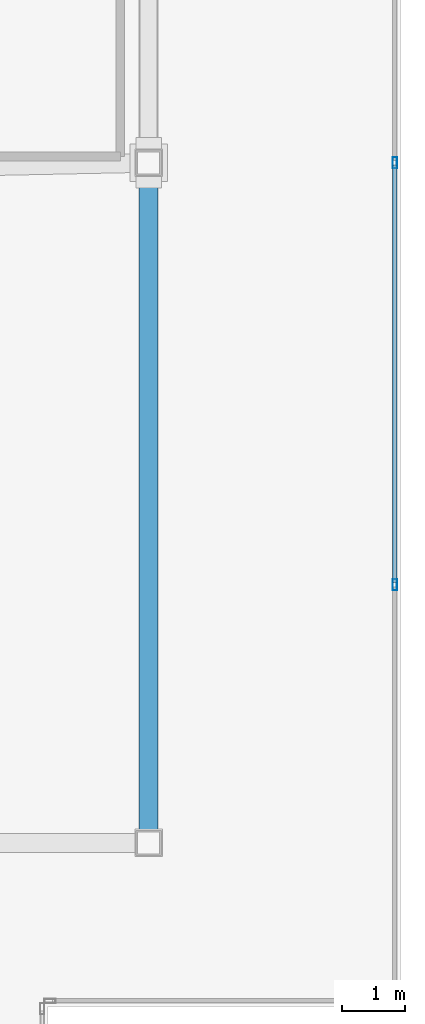
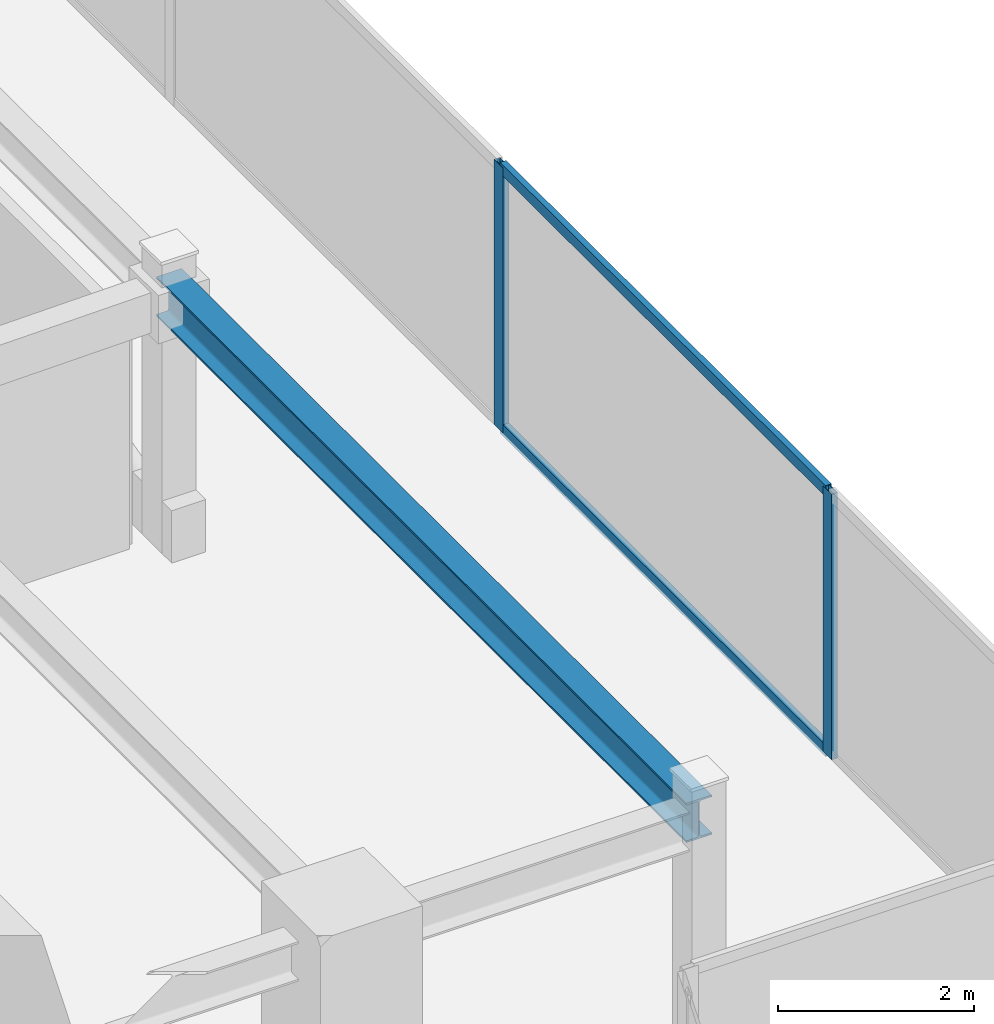
# One storey, part 17 of 25: 4 members, 1 beam, 1 element without a shape of its own.
"""IFC4 building model written with IfcOpenShell, lengths in metres."""

from ifc_helpers import new_model, si_unit, direction, frame, origin, origin_2d, place, context, subcontext, project, spatial, hollow_rectangle, i_section, extrude, source, transform, mapped, material, material_profile, profile_set, type_object, type_shapes, element, aggregate, save


model = new_model("IFC4")

# Units and contexts
model_context = context("Model", 3, precision=1e-05, world=origin(), true_north=direction((0.0, 1.0)))
body_context = subcontext(model_context, "Body", "Model", "MODEL_VIEW")
ifc_project = project(units=[si_unit("LENGTHUNIT", "METRE"), si_unit("AREAUNIT", "SQUARE_METRE"), si_unit("VOLUMEUNIT", "CUBIC_METRE"), si_unit("PLANEANGLEUNIT", "RADIAN"), si_unit("MASSUNIT", "GRAM", prefix="KILO")], contexts=[model_context])

# Site, building, storey
site_placement = place(None, origin())
site = spatial("IfcSite", under=ifc_project, at=site_placement, CompositionType="ELEMENT")
building_placement = place(site_placement, origin())
building = spatial("IfcBuilding", under=site, at=building_placement, Name="Krantzveldt Concourse Tower", CompositionType="ELEMENT")
storey_placement = place(building_placement, frame((0.0, 0.0, 374.64990234375)))
storey = spatial("IfcBuildingStorey", under=building, at=storey_placement, Name="L92", CompositionType="ELEMENT", Elevation=374.64990234375)

# Beam
ifc_material_1 = material(Name="Steel S355JR", Category="steel")
ifc_material_profile_1 = material_profile(ifc_material_1, i_section(OverallWidth=0.300048828125, OverallDepth=0.489990234375, WebThickness=0.011962890625, FlangeThickness=0.02294921875, FilletRadius=0.027099609375, at=origin_2d()), Name="Steel S355JR", Category="steel")
ifc_profile_set_1 = profile_set([ifc_material_profile_1], Name="Steel S355JR - HEA 500")
beam_type = type_object("IfcBeamType", Name="BM-B-HEA500", PredefinedType="BEAM", material=ifc_profile_set_1)
shared_shape_1 = source(origin(), body_context, "Body", "SweptSolid", [
    extrude(i_section(OverallWidth=0.300048828125, OverallDepth=0.489990234375, WebThickness=0.011962890625, FlangeThickness=0.02294921875, FilletRadius=0.027099609375, at=origin_2d()), origin(), (0.0, 0.0, 1.0), 10.800048828125),
])
type_shapes(beam_type, [shared_shape_1])
beam_placement = place(storey_placement, frame((51.0, 15.89990234375, 3.05517578125), z_axis=(0.0, 1.0, 0.0), x_axis=(-1.0, 0.0, 0.0)))
element("IfcBeam", 1, at=beam_placement, inside=storey, type_object=beam_type, Name="L92 Crown Girder EAST-1", PredefinedType="BEAM", context=body_context, shape_type="MappedRepresentation", body=[
    mapped(shared_shape_1, transform((0.0, 0.0, 0.0), x_axis=(1.0, 0.0, 0.0), y_axis=(0.0, 1.0, 0.0), z_axis=(0.0, 0.0, 1.0), scale=1.0)),
])

# Curtain wall, members
ifc_material_2 = material(Name="Anodised aluminium 6063-T6", Category="aluminium")
curtain_wall_type = type_object("IfcCurtainWallType", Name="CW7", PredefinedType="USERDEFINED", material=ifc_material_2)
curtain_wall_placement = place(storey_placement, origin())
curtain_wall = element("IfcCurtainWall", 2, at=curtain_wall_placement, inside=storey, type_object=curtain_wall_type, Name="CW-L92-EAST-03", ObjectType="UNITISED CURTAIN WALL", PredefinedType="USERDEFINED")
ifc_material_profile_2 = material_profile(ifc_material_2, hollow_rectangle(XDim=0.070068359375, YDim=0.139892578125, WallThickness=0.0048828125, at=origin_2d()), Name="Anodised aluminium 6063-T6", Category="aluminium")
ifc_profile_set_2 = profile_set([ifc_material_profile_2], Name="Anodised aluminium 6063-T6 - ALU-TRAN 140x70x5")
member_type_1 = type_object("IfcMemberType", Name="CW-TRN-150", PredefinedType="USERDEFINED", material=ifc_profile_set_2)
shared_shape_2 = source(origin(), body_context, "Body", "SweptSolid", [
    extrude(hollow_rectangle(XDim=0.070068359375, YDim=0.139892578125, WallThickness=0.0048828125, at=origin_2d()), origin(), (0.0, 0.0, 1.0), 6.630126953125),
])
type_shapes(member_type_1, [shared_shape_2])
member_1_placement = place(storey_placement, frame((54.909912109375, 20.034912109375, 0.03515625), z_axis=(0.0, 1.0, 0.0), x_axis=(-1.0, 0.0, 0.0)))
member_1 = element("IfcMember", 3, at=member_1_placement, type_object=member_type_1, Name="CW-CRN transom 2.1", ObjectType="TRANSOM", PredefinedType="USERDEFINED", context=body_context, shape_type="MappedRepresentation", body=[
    mapped(shared_shape_2, transform((0.0, 0.0, 0.0), x_axis=(1.0, 0.0, 0.0), y_axis=(0.0, 1.0, 0.0), z_axis=(0.0, 0.0, 1.0), scale=1.0)),
])
member_2_placement = place(storey_placement, frame((54.909912109375, 20.034912109375, 3.26513671875), z_axis=(0.0, 1.0, 0.0), x_axis=(-1.0, 0.0, 0.0)))
member_2 = element("IfcMember", 4, at=member_2_placement, type_object=member_type_1, Name="CW-CRN transom 2.2", ObjectType="TRANSOM", PredefinedType="USERDEFINED", context=body_context, shape_type="MappedRepresentation", body=[
    mapped(shared_shape_2, transform((0.0, 0.0, 0.0), x_axis=(1.0, 0.0, 0.0), y_axis=(0.0, 1.0, 0.0), z_axis=(0.0, 0.0, 1.0), scale=1.0)),
])
ifc_material_profile_3 = material_profile(ifc_material_2, hollow_rectangle(XDim=0.070068359375, YDim=0.179931640625, WallThickness=0.0048828125, at=origin_2d()), Name="Anodised aluminium 6063-T6", Category="aluminium")
ifc_profile_set_3 = profile_set([ifc_material_profile_3], Name="Anodised aluminium 6063-T6 - ALU-MULL 180x70x5")
member_type_2 = type_object("IfcMemberType", Name="CW-MUL-180", PredefinedType="MULLION", material=ifc_profile_set_3)
shared_shape_3 = source(origin(), body_context, "Body", "SweptSolid", [
    extrude(hollow_rectangle(XDim=0.070068359375, YDim=0.179931640625, WallThickness=0.0048828125, at=origin_2d()), origin(), (0.0, 0.0, 1.0), 3.300048828125),
])
type_shapes(member_type_2, [shared_shape_3])
member_3_placement = place(storey_placement, frame((54.909912109375, 20.0, 0.0), z_axis=(0.0, 0.0, 1.0), x_axis=(-1.0, 0.0, 0.0)))
member_3 = element("IfcMember", 5, at=member_3_placement, type_object=member_type_2, Name="CW-CRN mullion 2", PredefinedType="MULLION", context=body_context, shape_type="MappedRepresentation", body=[
    mapped(shared_shape_3, transform((0.0, 0.0, 0.0), x_axis=(1.0, 0.0, 0.0), y_axis=(0.0, 1.0, 0.0), z_axis=(0.0, 0.0, 1.0), scale=1.0)),
])
member_4_placement = place(storey_placement, frame((54.909912109375, 26.699951171875, 0.0), z_axis=(0.0, 0.0, 1.0), x_axis=(-1.0, 0.0, 0.0)))
member_4 = element("IfcMember", 6, at=member_4_placement, type_object=member_type_2, Name="CW-CRN mullion 3", PredefinedType="MULLION", context=body_context, shape_type="MappedRepresentation", body=[
    mapped(shared_shape_3, transform((0.0, 0.0, 0.0), x_axis=(1.0, 0.0, 0.0), y_axis=(0.0, 1.0, 0.0), z_axis=(0.0, 0.0, 1.0), scale=1.0)),
])
aggregate(curtain_wall, [member_3, member_4, member_1, member_2])

save(model, "model.ifc")
